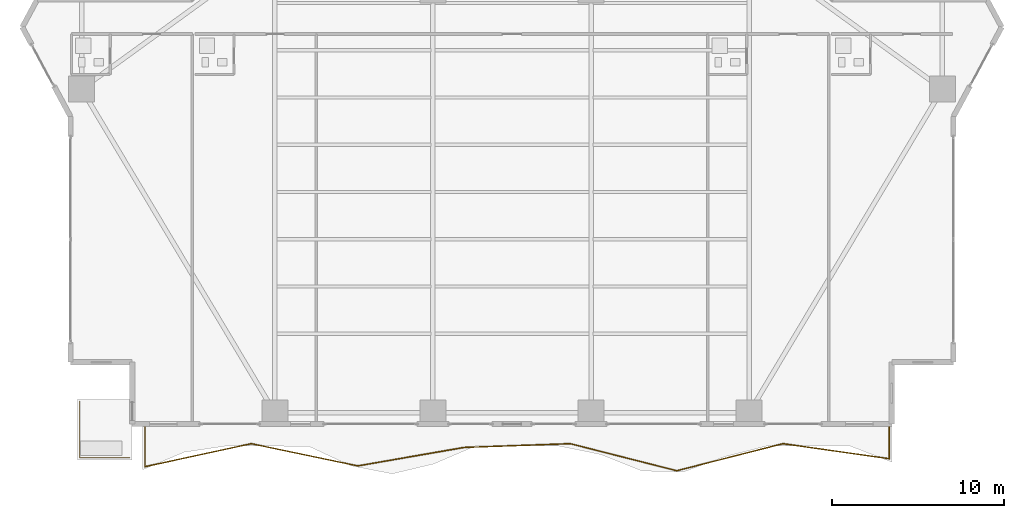
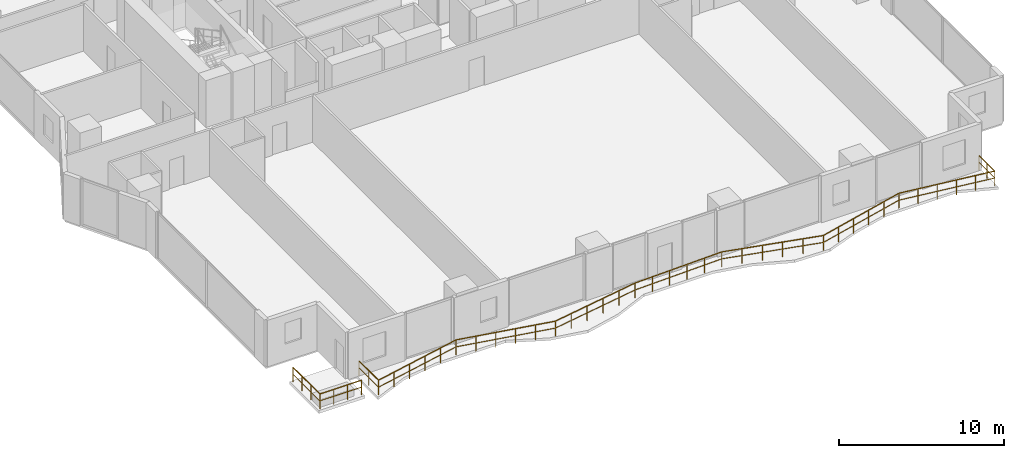
# One storey, part 24 of 28: 2 railings.
"""IFC4 building model written with IfcOpenShell, lengths in metres."""

from ifc_helpers import new_model, si_unit, direction, frame, origin, origin_2d, place, context, subcontext, project, spatial, rectangle, extrude, material, type_object, element, save


model = new_model("IFC4")

# Units and contexts
model_context = context("Model", 3, precision=1e-05, world=origin(), true_north=direction((0.0, 1.0)))
body_context = subcontext(model_context, "Body", "Model", "MODEL_VIEW")
ifc_project = project(units=[si_unit("LENGTHUNIT", "METRE"), si_unit("AREAUNIT", "SQUARE_METRE"), si_unit("VOLUMEUNIT", "CUBIC_METRE"), si_unit("PLANEANGLEUNIT", "RADIAN"), si_unit("MASSUNIT", "GRAM", prefix="KILO")], contexts=[model_context])

# Site, building, storey
site_placement = place(None, origin())
site = spatial("IfcSite", under=ifc_project, at=site_placement, CompositionType="ELEMENT")
building_placement = place(site_placement, origin())
building = spatial("IfcBuilding", under=site, at=building_placement, Name="Zuhayl Quay Hotel", CompositionType="ELEMENT")
storey_placement = place(building_placement, frame((0.0, 0.0, 75.050048828125)))
storey = spatial("IfcBuildingStorey", under=building, at=storey_placement, Name="L18", CompositionType="ELEMENT", Elevation=75.050048828125)

# Railings
ifc_material = material(Name="Anodised Aluminium and Laminated Glass", Category="aluminium")
railing_type = type_object("IfcRailingType", Name="RL_EXT_BAL_1100", PredefinedType="BALUSTRADE", material=ifc_material)
railing_1_placement = place(storey_placement, frame((-21.360107421875, -23.219970703125, 0.0)))
element("IfcRailing", 1, at=railing_1_placement, inside=storey, type_object=railing_type, Name="L18 Balcony and Terrace Guard GR_L18_BAL_S", PredefinedType="BALUSTRADE", context=body_context, shape_type="SweptSolid", body=[
    extrude(rectangle(XDim=0.048095703125, YDim=0.048095703125, at=origin_2d()), frame((0.0, 0.0, 1.09619140625), z_axis=(0.0, -1.0, 0.0), x_axis=(1.0, 0.0, 0.0)), (0.0, 0.0, 1.0), 2.359375),
    extrude(rectangle(XDim=0.0361328125, YDim=0.0361328125, at=origin_2d()), frame((0.0, 0.0, 0.58251953125), z_axis=(0.0, -1.0, 0.0), x_axis=(1.0, 0.0, 0.0)), (0.0, 0.0, 1.0), 2.359375),
    extrude(rectangle(XDim=0.048095703125, YDim=0.048095703125, at=origin_2d()), frame((0.0, -2.359375, 1.09619140625), z_axis=(0.977373249614, 0.211521939618, 0.0), x_axis=(-0.211521939618, 0.977373249614, 0.0)), (0.0, 0.0, 1.0), 6.33203125),
    extrude(rectangle(XDim=0.0361328125, YDim=0.0361328125, at=origin_2d()), frame((0.0, -2.359375, 0.58251953125), z_axis=(0.977373249614, 0.211521939618, 0.0), x_axis=(-0.211521939618, 0.977373249614, 0.0)), (0.0, 0.0, 1.0), 6.33203125),
    extrude(rectangle(XDim=0.048095703125, YDim=0.048095703125, at=origin_2d()), frame((6.188720703125, -1.02001953125, 1.09619140625), z_axis=(0.978840117264, -0.204626549684, 0.0), x_axis=(0.204626549684, 0.978840117264, 0.0)), (0.0, 0.0, 1.0), 6.322265625),
    extrude(rectangle(XDim=0.0361328125, YDim=0.0361328125, at=origin_2d()), frame((6.188720703125, -1.02001953125, 0.58251953125), z_axis=(0.978840117264, -0.204626549684, 0.0), x_axis=(0.204626549684, 0.978840117264, 0.0)), (0.0, 0.0, 1.0), 6.322265625),
    extrude(rectangle(XDim=0.048095703125, YDim=0.048095703125, at=origin_2d()), frame((12.377197265625, -2.313720703125, 1.09619140625), z_axis=(0.985287257114, 0.170906468481, 0.0), x_axis=(-0.170906468481, 0.985287257114, 0.0)), (0.0, 0.0, 1.0), 6.28125),
    extrude(rectangle(XDim=0.0361328125, YDim=0.0361328125, at=origin_2d()), frame((12.377197265625, -2.313720703125, 0.58251953125), z_axis=(0.985287257114, 0.170906468481, 0.0), x_axis=(-0.170906468481, 0.985287257114, 0.0)), (0.0, 0.0, 1.0), 6.28125),
    extrude(rectangle(XDim=0.048095703125, YDim=0.048095703125, at=origin_2d()), frame((18.56591796875, -1.240234375, 1.09619140625), z_axis=(0.999367466587, 0.035562153024, 0.0), x_axis=(-0.035562153024, 0.999367466587, 0.0)), (0.0, 0.0, 1.0), 6.1923828125),
    extrude(rectangle(XDim=0.0361328125, YDim=0.0361328125, at=origin_2d()), frame((18.56591796875, -1.240234375, 0.58251953125), z_axis=(0.999367466587, 0.035562153024, 0.0), x_axis=(-0.035562153024, 0.999367466587, 0.0)), (0.0, 0.0, 1.0), 6.1923828125),
    extrude(rectangle(XDim=0.048095703125, YDim=0.048095703125, at=origin_2d()), frame((24.75439453125, -1.02001953125, 1.09619140625), z_axis=(0.969101494126, -0.246662307787, 0.0), x_axis=(0.246662307787, 0.969101494126, 0.0)), (0.0, 0.0, 1.0), 6.385986328125),
    extrude(rectangle(XDim=0.0361328125, YDim=0.0361328125, at=origin_2d()), frame((24.75439453125, -1.02001953125, 0.58251953125), z_axis=(0.969101494126, -0.246662307787, 0.0), x_axis=(0.246662307787, 0.969101494126, 0.0)), (0.0, 0.0, 1.0), 6.385986328125),
    extrude(rectangle(XDim=0.048095703125, YDim=0.048095703125, at=origin_2d()), frame((30.943115234375, -2.59521484375, 1.09619140625), z_axis=(0.969099167974, 0.246671446732, 0.0), x_axis=(-0.246671446732, 0.969099167974, 0.0)), (0.0, 0.0, 1.0), 6.3857421875),
    extrude(rectangle(XDim=0.0361328125, YDim=0.0361328125, at=origin_2d()), frame((30.943115234375, -2.59521484375, 0.58251953125), z_axis=(0.969099167974, 0.246671446732, 0.0), x_axis=(-0.246671446732, 0.969099167974, 0.0)), (0.0, 0.0, 1.0), 6.3857421875),
    extrude(rectangle(XDim=0.048095703125, YDim=0.048095703125, at=origin_2d()), frame((37.131591796875, -1.02001953125, 1.09619140625), z_axis=(0.990140764063, -0.140075934193, 0.0), x_axis=(0.140075934193, 0.990140764063, 0.0)), (0.0, 0.0, 1.0), 6.25),
    extrude(rectangle(XDim=0.0361328125, YDim=0.0361328125, at=origin_2d()), frame((37.131591796875, -1.02001953125, 0.58251953125), z_axis=(0.990140764063, -0.140075934193, 0.0), x_axis=(0.140075934193, 0.990140764063, 0.0)), (0.0, 0.0, 1.0), 6.25),
    extrude(rectangle(XDim=0.048095703125, YDim=0.048095703125, at=origin_2d()), frame((43.320068359375, -1.8955078125, 1.09619140625), z_axis=(0.0, 1.0, 0.0), x_axis=(-1.0, 0.0, 0.0)), (0.0, 0.0, 1.0), 1.8955078125),
    extrude(rectangle(XDim=0.0361328125, YDim=0.0361328125, at=origin_2d()), frame((43.320068359375, -1.8955078125, 0.58251953125), z_axis=(0.0, 1.0, 0.0), x_axis=(-1.0, 0.0, 0.0)), (0.0, 0.0, 1.0), 1.8955078125),
    extrude(rectangle(XDim=0.0419921875, YDim=0.0419921875, at=origin_2d()), origin(), (0.0, 0.0, 1.0), 1.072021484375),
    extrude(rectangle(XDim=0.0419921875, YDim=0.0419921875, at=origin_2d()), frame((0.0, -1.1796875, 0.0)), (0.0, 0.0, 1.0), 1.072021484375),
    extrude(rectangle(XDim=0.0419921875, YDim=0.0419921875, at=origin_2d()), frame((0.0, -2.359375, 0.0)), (0.0, 0.0, 1.0), 1.072021484375),
    extrude(rectangle(XDim=0.0419921875, YDim=0.0419921875, at=origin_2d()), frame((1.23779296875, -2.091552734375, 0.0)), (0.0, 0.0, 1.0), 1.072021484375),
    extrude(rectangle(XDim=0.0419921875, YDim=0.0419921875, at=origin_2d()), frame((2.4755859375, -1.82373046875, 0.0)), (0.0, 0.0, 1.0), 1.072021484375),
    extrude(rectangle(XDim=0.0419921875, YDim=0.0419921875, at=origin_2d()), frame((3.713134765625, -1.5556640625, 0.0)), (0.0, 0.0, 1.0), 1.072021484375),
    extrude(rectangle(XDim=0.0419921875, YDim=0.0419921875, at=origin_2d()), frame((4.950927734375, -1.287841796875, 0.0)), (0.0, 0.0, 1.0), 1.072021484375),
    extrude(rectangle(XDim=0.0419921875, YDim=0.0419921875, at=origin_2d()), frame((6.188720703125, -1.02001953125, 0.0)), (0.0, 0.0, 1.0), 1.072021484375),
    extrude(rectangle(XDim=0.0419921875, YDim=0.0419921875, at=origin_2d()), frame((7.426513671875, -1.27880859375, 0.0)), (0.0, 0.0, 1.0), 1.072021484375),
    extrude(rectangle(XDim=0.0419921875, YDim=0.0419921875, at=origin_2d()), frame((8.6640625, -1.53759765625, 0.0)), (0.0, 0.0, 1.0), 1.072021484375),
    extrude(rectangle(XDim=0.0419921875, YDim=0.0419921875, at=origin_2d()), frame((9.90185546875, -1.796142578125, 0.0)), (0.0, 0.0, 1.0), 1.072021484375),
    extrude(rectangle(XDim=0.0419921875, YDim=0.0419921875, at=origin_2d()), frame((11.139404296875, -2.054931640625, 0.0)), (0.0, 0.0, 1.0), 1.072021484375),
    extrude(rectangle(XDim=0.0419921875, YDim=0.0419921875, at=origin_2d()), frame((12.377197265625, -2.313720703125, 0.0)), (0.0, 0.0, 1.0), 1.072021484375),
    extrude(rectangle(XDim=0.0419921875, YDim=0.0419921875, at=origin_2d()), frame((13.614990234375, -2.09912109375, 0.0)), (0.0, 0.0, 1.0), 1.072021484375),
    extrude(rectangle(XDim=0.0419921875, YDim=0.0419921875, at=origin_2d()), frame((14.852783203125, -1.88427734375, 0.0)), (0.0, 0.0, 1.0), 1.072021484375),
    extrude(rectangle(XDim=0.0419921875, YDim=0.0419921875, at=origin_2d()), frame((16.09033203125, -1.669677734375, 0.0)), (0.0, 0.0, 1.0), 1.072021484375),
    extrude(rectangle(XDim=0.0419921875, YDim=0.0419921875, at=origin_2d()), frame((17.328125, -1.454833984375, 0.0)), (0.0, 0.0, 1.0), 1.072021484375),
    extrude(rectangle(XDim=0.0419921875, YDim=0.0419921875, at=origin_2d()), frame((18.56591796875, -1.240234375, 0.0)), (0.0, 0.0, 1.0), 1.072021484375),
    extrude(rectangle(XDim=0.0419921875, YDim=0.0419921875, at=origin_2d()), frame((19.8037109375, -1.1962890625, 0.0)), (0.0, 0.0, 1.0), 1.072021484375),
    extrude(rectangle(XDim=0.0419921875, YDim=0.0419921875, at=origin_2d()), frame((21.041259765625, -1.152099609375, 0.0)), (0.0, 0.0, 1.0), 1.072021484375),
    extrude(rectangle(XDim=0.0419921875, YDim=0.0419921875, at=origin_2d()), frame((22.279052734375, -1.108154296875, 0.0)), (0.0, 0.0, 1.0), 1.072021484375),
    extrude(rectangle(XDim=0.0419921875, YDim=0.0419921875, at=origin_2d()), frame((23.5166015625, -1.06396484375, 0.0)), (0.0, 0.0, 1.0), 1.072021484375),
    extrude(rectangle(XDim=0.0419921875, YDim=0.0419921875, at=origin_2d()), frame((24.75439453125, -1.02001953125, 0.0)), (0.0, 0.0, 1.0), 1.072021484375),
    extrude(rectangle(XDim=0.0419921875, YDim=0.0419921875, at=origin_2d()), frame((25.9921875, -1.3349609375, 0.0)), (0.0, 0.0, 1.0), 1.072021484375),
    extrude(rectangle(XDim=0.0419921875, YDim=0.0419921875, at=origin_2d()), frame((27.22998046875, -1.650146484375, 0.0)), (0.0, 0.0, 1.0), 1.072021484375),
    extrude(rectangle(XDim=0.0419921875, YDim=0.0419921875, at=origin_2d()), frame((28.467529296875, -1.965087890625, 0.0)), (0.0, 0.0, 1.0), 1.072021484375),
    extrude(rectangle(XDim=0.0419921875, YDim=0.0419921875, at=origin_2d()), frame((29.705322265625, -2.2802734375, 0.0)), (0.0, 0.0, 1.0), 1.072021484375),
    extrude(rectangle(XDim=0.0419921875, YDim=0.0419921875, at=origin_2d()), frame((30.943115234375, -2.59521484375, 0.0)), (0.0, 0.0, 1.0), 1.072021484375),
    extrude(rectangle(XDim=0.0419921875, YDim=0.0419921875, at=origin_2d()), frame((32.180908203125, -2.2802734375, 0.0)), (0.0, 0.0, 1.0), 1.072021484375),
    extrude(rectangle(XDim=0.0419921875, YDim=0.0419921875, at=origin_2d()), frame((33.41845703125, -1.965087890625, 0.0)), (0.0, 0.0, 1.0), 1.072021484375),
    extrude(rectangle(XDim=0.0419921875, YDim=0.0419921875, at=origin_2d()), frame((34.65625, -1.650146484375, 0.0)), (0.0, 0.0, 1.0), 1.072021484375),
    extrude(rectangle(XDim=0.0419921875, YDim=0.0419921875, at=origin_2d()), frame((35.893798828125, -1.3349609375, 0.0)), (0.0, 0.0, 1.0), 1.072021484375),
    extrude(rectangle(XDim=0.0419921875, YDim=0.0419921875, at=origin_2d()), frame((37.131591796875, -1.02001953125, 0.0)), (0.0, 0.0, 1.0), 1.072021484375),
    extrude(rectangle(XDim=0.0419921875, YDim=0.0419921875, at=origin_2d()), frame((38.369384765625, -1.195068359375, 0.0)), (0.0, 0.0, 1.0), 1.072021484375),
    extrude(rectangle(XDim=0.0419921875, YDim=0.0419921875, at=origin_2d()), frame((39.60693359375, -1.3701171875, 0.0)), (0.0, 0.0, 1.0), 1.072021484375),
    extrude(rectangle(XDim=0.0419921875, YDim=0.0419921875, at=origin_2d()), frame((40.8447265625, -1.54541015625, 0.0)), (0.0, 0.0, 1.0), 1.072021484375),
    extrude(rectangle(XDim=0.0419921875, YDim=0.0419921875, at=origin_2d()), frame((42.082275390625, -1.720458984375, 0.0)), (0.0, 0.0, 1.0), 1.072021484375),
    extrude(rectangle(XDim=0.0419921875, YDim=0.0419921875, at=origin_2d()), frame((43.320068359375, -1.8955078125, 0.0)), (0.0, 0.0, 1.0), 1.072021484375),
    extrude(rectangle(XDim=0.0419921875, YDim=0.0419921875, at=origin_2d()), frame((43.320068359375, -0.94775390625, 0.0)), (0.0, 0.0, 1.0), 1.072021484375),
    extrude(rectangle(XDim=0.0419921875, YDim=0.0419921875, at=origin_2d()), frame((43.320068359375, 0.0, 0.0)), (0.0, 0.0, 1.0), 1.072021484375),
])
railing_2_placement = place(storey_placement, frame((-25.159912109375, -21.7900390625, 0.0)))
element("IfcRailing", 2, at=railing_2_placement, inside=storey, type_object=railing_type, Name="L18 Balcony and Terrace Guard GR_L18_SPIRAL_SW", PredefinedType="BALUSTRADE", context=body_context, shape_type="SweptSolid", body=[
    extrude(rectangle(XDim=0.048095703125, YDim=0.048095703125, at=origin_2d()), frame((0.0, 0.0, 1.09619140625), z_axis=(0.0, -1.0, 0.0), x_axis=(1.0, 0.0, 0.0)), (0.0, 0.0, 1.0), 3.27001953125),
    extrude(rectangle(XDim=0.0361328125, YDim=0.0361328125, at=origin_2d()), frame((0.0, 0.0, 0.58251953125), z_axis=(0.0, -1.0, 0.0), x_axis=(1.0, 0.0, 0.0)), (0.0, 0.0, 1.0), 3.27001953125),
    extrude(rectangle(XDim=0.048095703125, YDim=0.048095703125, at=origin_2d()), frame((0.0, -3.27001953125, 1.09619140625), z_axis=(1.0, 0.0, 0.0), x_axis=(0.0, 1.0, 0.0)), (0.0, 0.0, 1.0), 2.919921875),
    extrude(rectangle(XDim=0.0361328125, YDim=0.0361328125, at=origin_2d()), frame((0.0, -3.27001953125, 0.58251953125), z_axis=(1.0, 0.0, 0.0), x_axis=(0.0, 1.0, 0.0)), (0.0, 0.0, 1.0), 2.919921875),
    extrude(rectangle(XDim=0.0419921875, YDim=0.0419921875, at=origin_2d()), origin(), (0.0, 0.0, 1.0), 1.072021484375),
    extrude(rectangle(XDim=0.0419921875, YDim=0.0419921875, at=origin_2d()), frame((0.0, -1.090087890625, 0.0)), (0.0, 0.0, 1.0), 1.072021484375),
    extrude(rectangle(XDim=0.0419921875, YDim=0.0419921875, at=origin_2d()), frame((0.0, -2.179931640625, 0.0)), (0.0, 0.0, 1.0), 1.072021484375),
    extrude(rectangle(XDim=0.0419921875, YDim=0.0419921875, at=origin_2d()), frame((0.0, -3.27001953125, 0.0)), (0.0, 0.0, 1.0), 1.072021484375),
    extrude(rectangle(XDim=0.0419921875, YDim=0.0419921875, at=origin_2d()), frame((0.973388671875, -3.27001953125, 0.0)), (0.0, 0.0, 1.0), 1.072021484375),
    extrude(rectangle(XDim=0.0419921875, YDim=0.0419921875, at=origin_2d()), frame((1.946533203125, -3.27001953125, 0.0)), (0.0, 0.0, 1.0), 1.072021484375),
    extrude(rectangle(XDim=0.0419921875, YDim=0.0419921875, at=origin_2d()), frame((2.919921875, -3.27001953125, 0.0)), (0.0, 0.0, 1.0), 1.072021484375),
])

save(model, "model.ifc")
